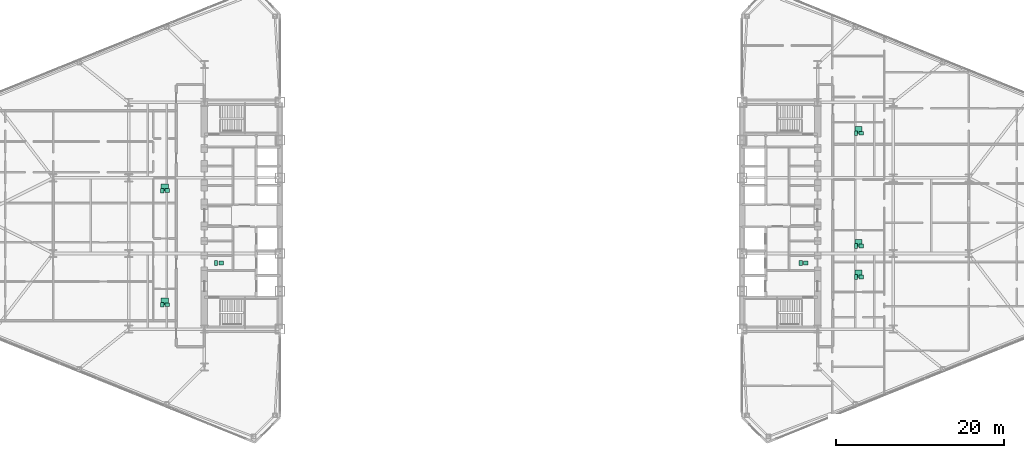
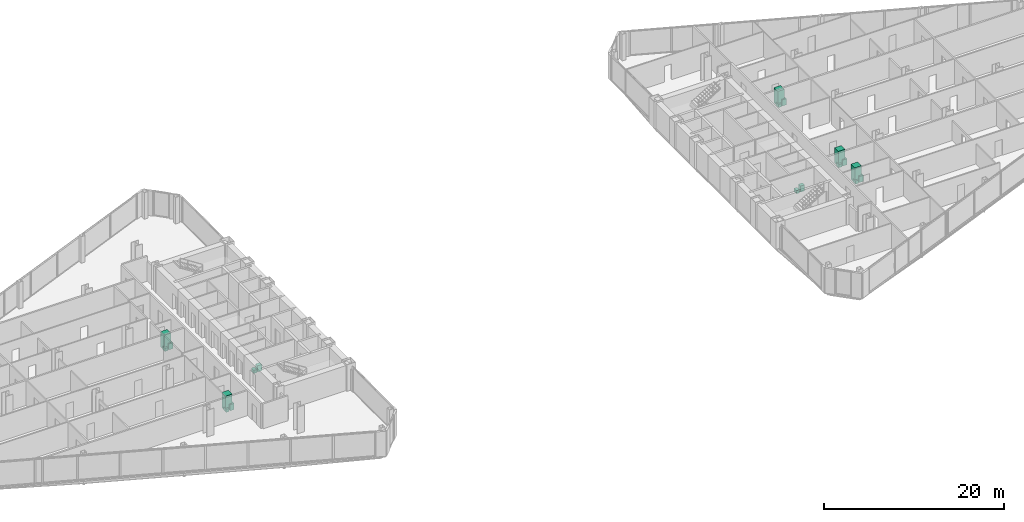
# One storey, part 25 of 25: 19 sanitary terminals.
"""IFC4 building model written with IfcOpenShell, lengths in metres."""

from ifc_helpers import new_model, si_unit, direction, frame, origin, origin_2d, place, context, subcontext, project, spatial, rectangle, extrude, source, transform, mapped, material, type_object, type_shapes, element, save


model = new_model("IFC4")

# Units and contexts
model_context = context("Model", 3, precision=1e-05, world=origin(), true_north=direction((0.0, 1.0)))
body_context = subcontext(model_context, "Body", "Model", "MODEL_VIEW")
ifc_project = project(units=[si_unit("LENGTHUNIT", "METRE"), si_unit("AREAUNIT", "SQUARE_METRE"), si_unit("VOLUMEUNIT", "CUBIC_METRE"), si_unit("PLANEANGLEUNIT", "RADIAN"), si_unit("MASSUNIT", "GRAM", prefix="KILO")], contexts=[model_context])

# Site, building, storey
site_placement = place(None, origin())
site = spatial("IfcSite", under=ifc_project, at=site_placement, CompositionType="ELEMENT")
building_placement = place(site_placement, origin())
building = spatial("IfcBuilding", under=site, at=building_placement, Name="Seokmaru Belvedere", CompositionType="ELEMENT")
storey_placement = place(building_placement, frame((0.0, 0.0, 54.89990234375)))
storey = spatial("IfcBuildingStorey", under=building, at=storey_placement, Name="L14", CompositionType="ELEMENT", Elevation=54.89990234375)

# Sanitary terminals
ifc_material_1 = material(Name="Vitreous China Sanitaryware")
sanitary_terminal_type_1 = type_object("IfcSanitaryTerminalType", Name="Wall-Hung Vitreous China WC Pan", PredefinedType="TOILETPAN", material=ifc_material_1)
shared_shape_1 = source(origin(), body_context, "Body", "SweptSolid", [
    extrude(rectangle(XDim=0.3798828125, YDim=0.56005859375, at=origin_2d()), origin(), (0.0, 0.0, 1.0), 0.419921875),
])
type_shapes(sanitary_terminal_type_1, [shared_shape_1])
for number, where, z_axis, x_axis, name in (
    (1, (-35.10009765625, -5.625, 0.000244140625), (0.0, 0.0, 1.0), (1.0, 0.0, 0.0), "L14 Vitreous China WC 0080"),
    (2, (34.5, -5.625, 0.000244140625), (0.0, 0.0, 1.0), (1.0, 0.0, 0.0), "L14 Vitreous China WC 0081"),
    (3, (-41.52490234375, -10.611083984375, 0.000244140625), (0.0, 0.0, 1.0), (1.0, 0.0, 0.0), "L14 Vitreous China WC 0082"),
    (4, (-41.52490234375, 2.98388671875, 0.000244140625), (0.0, 0.0, 1.0), (1.0, 0.0, 0.0), "L14 Vitreous China WC 0083"),
    (5, (41.074951171875, -7.2890625, 0.000244140625), (0.0, 0.0, 1.0), (1.0, 0.0, 0.0), "L14 Vitreous China WC 0084"),
    (6, (41.074951171875, -3.611083984375, 0.000244140625), (0.0, 0.0, 1.0), (1.0, 0.0, 0.0), "L14 Vitreous China WC 0085"),
    (7, (41.074951171875, 9.822021484375, 0.000244140625), (0.0, 0.0, 1.0), (1.0, 0.0, 0.0), "L14 Vitreous China WC 0086"),
):
    element("IfcSanitaryTerminal", number, at=place(storey_placement, frame(where, z_axis=z_axis, x_axis=x_axis)), inside=storey, type_object=sanitary_terminal_type_1, Name=name, PredefinedType="TOILETPAN", context=body_context, shape_type="MappedRepresentation", body=[
        mapped(shared_shape_1, transform((0.0, 0.0, 0.0), scale=1.0)),
    ])
sanitary_terminal_type_2 = type_object("IfcSanitaryTerminalType", Name="Countertop Ceramic Washhand Basin", PredefinedType="WASHHANDBASIN", material=ifc_material_1)
shared_shape_2 = source(origin(), body_context, "Body", "SweptSolid", [
    extrude(rectangle(XDim=0.550048828125, YDim=0.449951171875, at=origin_2d()), origin(), (0.0, 0.0, 1.0), 0.820068359375),
])
type_shapes(sanitary_terminal_type_2, [shared_shape_2])
for number, where, z_axis, x_axis, name in (
    (8, (-34.5, -5.625, 0.0), (0.0, 0.0, 1.0), (1.0, 0.0, 0.0), "L14 Ceramic Washhand Basin 0080"),
    (9, (35.10009765625, -5.625, 0.0), (0.0, 0.0, 1.0), (1.0, 0.0, 0.0), "L14 Ceramic Washhand Basin 0081"),
    (10, (-40.925048828125, -10.611083984375, 0.0), (0.0, 0.0, 1.0), (1.0, 0.0, 0.0), "L14 Ceramic Washhand Basin 0082"),
    (11, (-40.925048828125, 2.98388671875, 0.0), (0.0, 0.0, 1.0), (1.0, 0.0, 0.0), "L14 Ceramic Washhand Basin 0083"),
    (12, (41.675048828125, -7.2890625, 0.0), (0.0, 0.0, 1.0), (1.0, 0.0, 0.0), "L14 Ceramic Washhand Basin 0084"),
    (13, (41.675048828125, -3.611083984375, 0.0), (0.0, 0.0, 1.0), (1.0, 0.0, 0.0), "L14 Ceramic Washhand Basin 0085"),
    (14, (41.675048828125, 9.822021484375, 0.0), (0.0, 0.0, 1.0), (1.0, 0.0, 0.0), "L14 Ceramic Washhand Basin 0086"),
):
    element("IfcSanitaryTerminal", number, at=place(storey_placement, frame(where, z_axis=z_axis, x_axis=x_axis)), inside=storey, type_object=sanitary_terminal_type_2, Name=name, PredefinedType="WASHHANDBASIN", context=body_context, shape_type="MappedRepresentation", body=[
        mapped(shared_shape_2, transform((0.0, 0.0, 0.0), scale=1.0)),
    ])
ifc_material_2 = material(Name="Stainless Steel 316", Category="steel")
sanitary_terminal_type_3 = type_object("IfcSanitaryTerminalType", Name="Walk-In Thermostatic Rain Shower Enclosure", PredefinedType="SHOWER", material=ifc_material_2)
shared_shape_3 = source(origin(), body_context, "Body", "SweptSolid", [
    extrude(rectangle(XDim=0.85009765625, YDim=0.85009765625, at=origin_2d()), origin(), (0.0, 0.0, 1.0), 2.050048828125),
])
type_shapes(sanitary_terminal_type_3, [shared_shape_3])
for number, where, z_axis, x_axis, name in (
    (15, (-41.22509765625, -10.23095703125, 0.0), (0.0, 0.0, 1.0), (1.0, 0.0, 0.0), "L14 Walk-In Shower 0082"),
    (16, (-41.22509765625, 3.364013671875, 0.0), (0.0, 0.0, 1.0), (1.0, 0.0, 0.0), "L14 Walk-In Shower 0083"),
    (17, (41.375, -6.908935546875, 0.0), (0.0, 0.0, 1.0), (1.0, 0.0, 0.0), "L14 Walk-In Shower 0084"),
    (18, (41.375, -3.23095703125, 0.0), (0.0, 0.0, 1.0), (1.0, 0.0, 0.0), "L14 Walk-In Shower 0085"),
    (19, (41.375, 10.202880859375, 0.0), (0.0, 0.0, 1.0), (1.0, 0.0, 0.0), "L14 Walk-In Shower 0086"),
):
    element("IfcSanitaryTerminal", number, at=place(storey_placement, frame(where, z_axis=z_axis, x_axis=x_axis)), inside=storey, type_object=sanitary_terminal_type_3, Name=name, PredefinedType="SHOWER", context=body_context, shape_type="MappedRepresentation", body=[
        mapped(shared_shape_3, transform((0.0, 0.0, 0.0), scale=1.0)),
    ])

save(model, "model.ifc")
